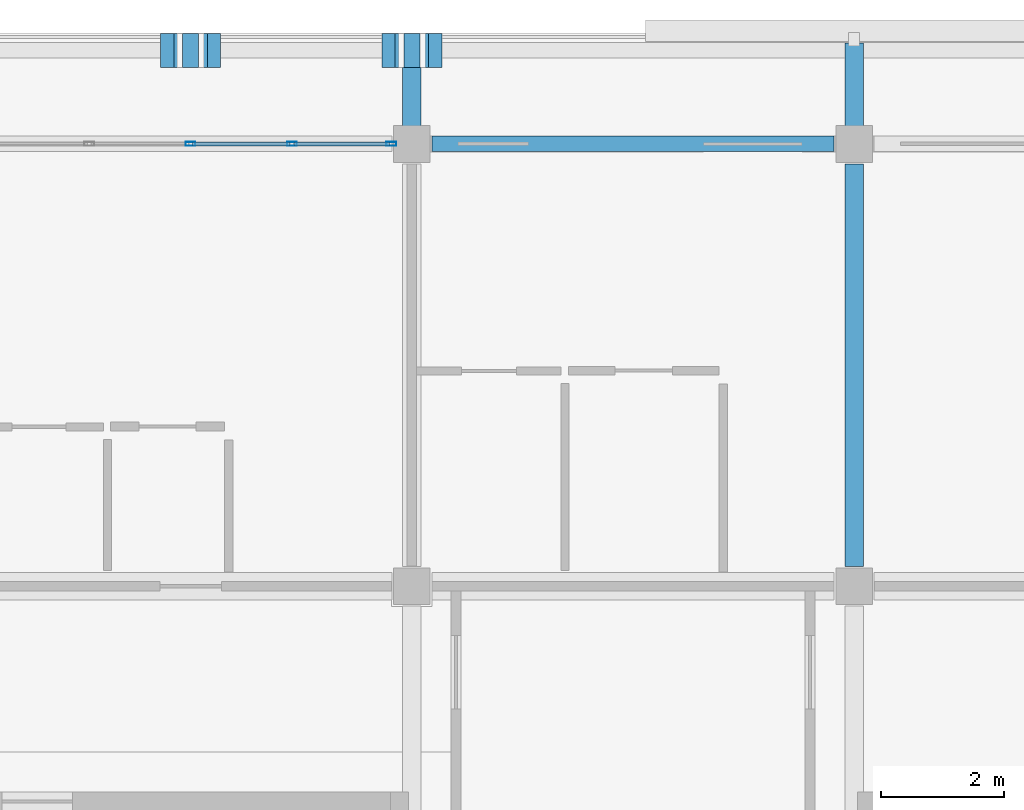
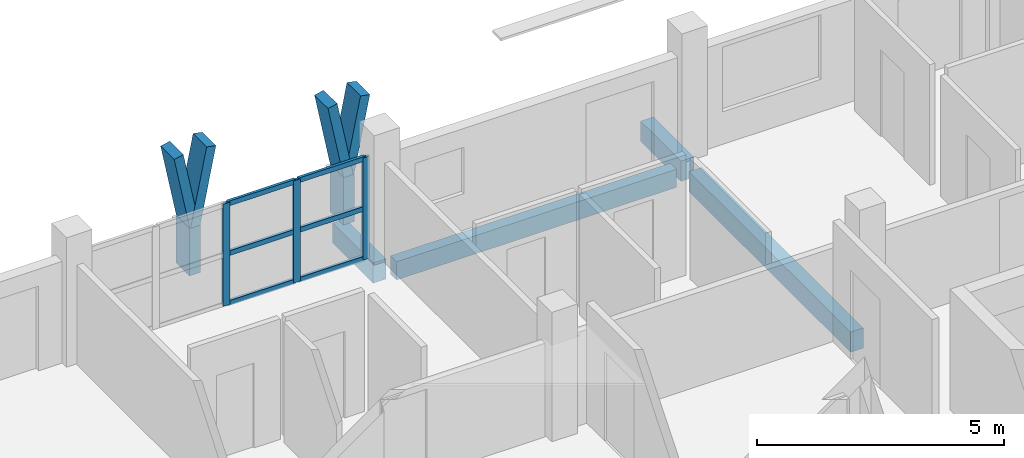
# One storey, part 13 of 73: 15 members, 4 beams, 1 element without a shape of its own.
"""IFC4 building model written with IfcOpenShell, lengths in metres."""

import ifcopenshell
import ifcopenshell.guid

model = None  # the IFC model being written
_history = None  # IfcOwnerHistory: only IFC2X3 demands one
_inside = {}  # id of a spatial element -> (the spatial element, [elements in it])
_under = {}  # id of a project, library or spatial element -> (it, [spatial elements below it])
_declared = {}  # id of a project -> (the project, [libraries it declares])
_typed = {}  # id of a type object -> (the type object, [elements of that type])
_made_of = {}  # id of a material, layer set ... -> (it, [elements and type objects made of it])


def new_model(schema):
    """Start an empty IFC model of exactly this schema.

    Asked for "IFC4X3", IfcOpenShell would pick the latest addendum, in which some entities
    have other attributes; the version numbers below select the first issue.
    IFC2X3 requires an IfcOwnerHistory on every rooted entity: one is made here for all.
    """
    global model, _history
    if schema == "IFC4X3":
        model = ifcopenshell.file(schema_version=(4, 3, 0, 0))
    else:
        model = ifcopenshell.file(schema=schema)
    _inside.clear()
    _under.clear()
    _declared.clear()
    _typed.clear()
    _made_of.clear()
    _history = None
    if model.schema == "IFC2X3":
        org = make("IfcOrganization", Name="unknown")
        user = make(
            "IfcPersonAndOrganization",
            ThePerson=make("IfcPerson", FamilyName="unknown"),
            TheOrganization=org,
        )
        app = make(
            "IfcApplication",
            ApplicationDeveloper=org,
            Version="unknown",
            ApplicationFullName="unknown",
            ApplicationIdentifier="unknown",
        )
        _history = make(
            "IfcOwnerHistory",
            OwningUser=user,
            OwningApplication=app,
            ChangeAction="ADDED",
            CreationDate=0,
        )
    return model


def make(cls, **values):
    """One entity of the class cls with the attributes given. An attribute that is None is left unset."""
    return model.create_entity(
        cls, **{name: value for name, value in values.items() if value is not None}
    )


def rooted(cls, **values):
    """An entity with a GlobalId (a new one), such as an element, a storey or a relation."""
    return make(cls, GlobalId=ifcopenshell.guid.new(), OwnerHistory=_history, **values)


def si_unit(unit_type, name, prefix=None):
    """IfcSIUnit, for example si_unit("LENGTHUNIT", "METRE", prefix="MILLI")."""
    return make("IfcSIUnit", UnitType=unit_type, Prefix=prefix, Name=name)


def assignment(units):
    """IfcUnitAssignment: the units of a project."""
    return None if units is None else make("IfcUnitAssignment", Units=units)


def point(xyz):
    """IfcCartesianPoint."""
    return None if xyz is None else make("IfcCartesianPoint", Coordinates=xyz)


def direction(xyz):
    """IfcDirection."""
    return None if xyz is None else make("IfcDirection", DirectionRatios=xyz)


def frame(location, z_axis=None, x_axis=None):
    """IfcAxis2Placement3D, a coordinate frame: its origin and axes. An axis left out is left unset."""
    return make(
        "IfcAxis2Placement3D",
        Location=point(location),
        Axis=direction(z_axis),
        RefDirection=direction(x_axis),
    )


def frame_2d(location, x_axis=None):
    """IfcAxis2Placement2D, a coordinate frame in the plane: its origin and x axis."""
    return make(
        "IfcAxis2Placement2D", Location=point(location), RefDirection=direction(x_axis)
    )


def origin():
    """The frame at (0, 0, 0) with its axes left unset."""
    return frame((0.0, 0.0, 0.0))


def origin_2d():
    """The frame at (0, 0) in the plane with its x axis left unset."""
    return frame_2d((0.0, 0.0))


def place(relative_to, where):
    """IfcLocalPlacement: puts the frame where relative to a parent placement (None: the world)."""
    return make(
        "IfcLocalPlacement", PlacementRelTo=relative_to, RelativePlacement=where
    )


def context(
    kind, dimensions, precision=None, world=None, true_north=None, identifier=None
):
    """IfcGeometricRepresentationContext, for example the 3D "Model" context."""
    return make(
        "IfcGeometricRepresentationContext",
        ContextIdentifier=identifier,
        ContextType=kind,
        CoordinateSpaceDimension=dimensions,
        Precision=precision,
        WorldCoordinateSystem=world,
        TrueNorth=true_north,
    )


def subcontext(parent, identifier, kind, view, scale=None):
    """IfcGeometricRepresentationSubContext, for example "Body" below "Model"."""
    return make(
        "IfcGeometricRepresentationSubContext",
        ContextIdentifier=identifier,
        ContextType=kind,
        ParentContext=parent,
        TargetScale=scale,
        TargetView=view,
    )


def project(units=None, contexts=None):
    """IfcProject with its units and contexts."""
    return rooted(
        "IfcProject",
        Name="project",
        RepresentationContexts=contexts,
        UnitsInContext=assignment(units),
    )


def spatial(cls, under=None, at=None, **own):
    """A site, building, storey or space (cls), placed at a placement, below another one or the project."""
    s = rooted(cls, ObjectPlacement=at, **own)
    if under is not None:
        _under.setdefault(under.id(), (under, []))[1].append(s)
    return s


def profile(cls, at=None, kind="AREA", **sizes):
    """A parametric profile (cls). Its sizes go by their IFC names, for example OverallWidth=200.0."""
    return make(cls, ProfileType=kind, Position=at, **sizes)


def rectangle(**sizes):
    """IfcRectangleProfileDef."""
    return profile("IfcRectangleProfileDef", **sizes)


def hollow_rectangle(**sizes):
    """IfcRectangleHollowProfileDef."""
    return profile("IfcRectangleHollowProfileDef", **sizes)


def extrude(swept, where, along, depth):
    """IfcExtrudedAreaSolid: the profile swept, set in the frame where, extruded along a direction by depth."""
    return make(
        "IfcExtrudedAreaSolid",
        SweptArea=swept,
        Position=where,
        ExtrudedDirection=direction(along),
        Depth=depth,
    )


def shape(context_of_items, identifier, shape_type, items):
    """IfcShapeRepresentation: the items that make up one representation, for example the "Body"."""
    return make(
        "IfcShapeRepresentation",
        ContextOfItems=context_of_items,
        RepresentationIdentifier=identifier,
        RepresentationType=shape_type,
        Items=items,
    )


def material(Name=None, Category=None):
    """IfcMaterial."""
    return make("IfcMaterial", Name=Name, Category=Category)


def material_profile(
    of_material, cross_section, Name=None, Category=None, Priority=None
):
    """IfcMaterialProfile: a cross section and its material."""
    return make(
        "IfcMaterialProfile",
        Name=Name,
        Material=of_material,
        Profile=cross_section,
        Priority=Priority,
        Category=Category,
    )


def profile_set(profiles, Name=None, composite=None):
    """IfcMaterialProfileSet."""
    return make(
        "IfcMaterialProfileSet",
        Name=Name,
        MaterialProfiles=profiles,
        CompositeProfile=composite,
    )


def made_of(thing, what):
    """Note that an element or type object is made of a material, layer set ...; save() writes the relation."""
    if what is not None:
        _made_of.setdefault(what.id(), (what, []))[1].append(thing)
    return thing


def type_object(cls, material=None, **own):
    """A type object (cls), such as IfcWallType, which elements share."""
    return made_of(rooted(cls, **own), material)


def element(
    cls,
    number,
    at=None,
    inside=None,
    cuts=None,
    type_object=None,
    material=None,
    context=None,
    identifier="Body",
    shape_type=None,
    held_by="IfcProductDefinitionShape",
    body=None,
    shapes=None,
    **own,
):
    """One element of the class cls, such as IfcWall. Its Tag is "e" and its number.

    at: its placement. inside: the storey or other place that contains it. cuts: it is an
    opening in that element (IfcRelVoidsElement). A single representation is given by context,
    identifier, shape_type and body (its items); several are given by shapes. held_by: the class
    of the entity that holds the representations. save() writes the other relations.
    """
    e = rooted(cls, Tag="e%d" % number, ObjectPlacement=at, **own)
    if body is not None:
        shapes = [shape(context, identifier, shape_type, body)]
    if shapes is not None:
        e.Representation = make(held_by, Representations=shapes)
    if inside is not None:
        _inside.setdefault(inside.id(), (inside, []))[1].append(e)
    if cuts is not None:
        rooted(
            "IfcRelVoidsElement", RelatingBuildingElement=cuts, RelatedOpeningElement=e
        )
    if type_object is not None:
        _typed.setdefault(type_object.id(), (type_object, []))[1].append(e)
    return made_of(e, material)


def aggregate(whole, parts):
    """IfcRelAggregates: a whole, such as a stair, and the parts it consists of."""
    return rooted("IfcRelAggregates", RelatingObject=whole, RelatedObjects=parts)


def save(model, path):
    """Write the relations noted so far, then the file.

    IfcRelAggregates (storeys below a building ...), IfcRelContainedInSpatialStructure (elements
    in a storey), IfcRelDefinesByType, IfcRelAssociatesMaterial and IfcRelDeclares: one each for
    every whole, place, type object, material and project.
    """
    for whole, parts in _under.values():
        aggregate(whole, parts)
    for where, things in _inside.values():
        rooted(
            "IfcRelContainedInSpatialStructure",
            RelatedElements=things,
            RelatingStructure=where,
        )
    for kind, things in _typed.values():
        rooted("IfcRelDefinesByType", RelatedObjects=things, RelatingType=kind)
    for what, things in _made_of.values():
        rooted("IfcRelAssociatesMaterial", RelatedObjects=things, RelatingMaterial=what)
    for by, libraries in _declared.values():
        rooted("IfcRelDeclares", RelatingContext=by, RelatedDefinitions=libraries)
    model.write(path)


model = new_model("IFC4")

# Units and contexts
model_context = context("Model", 3, precision=1e-05, world=origin(), true_north=direction((0.0, 1.0)))
body_context = subcontext(model_context, "Body", "Model", "MODEL_VIEW")
ifc_project = project(units=[si_unit("LENGTHUNIT", "METRE"), si_unit("AREAUNIT", "SQUARE_METRE"), si_unit("VOLUMEUNIT", "CUBIC_METRE"), si_unit("PLANEANGLEUNIT", "RADIAN"), si_unit("MASSUNIT", "GRAM", prefix="KILO")], contexts=[model_context])

# Site, building, storey
site_placement = place(None, origin())
site = spatial("IfcSite", under=ifc_project, at=site_placement, CompositionType="ELEMENT")
building_placement = place(site_placement, origin())
building = spatial("IfcBuilding", under=site, at=building_placement, Name="Suanplinth Sawtooth Commons", CompositionType="ELEMENT")
storey_placement = place(building_placement, frame((0.0, 0.0, 21.89990234375)))
storey = spatial("IfcBuildingStorey", under=building, at=storey_placement, Name="L06", CompositionType="ELEMENT", Elevation=21.89990234375)

# Beams
ifc_material_1 = material(Name="Precast concrete C40/50", Category="concrete")
ifc_material_profile_1 = material_profile(ifc_material_1, rectangle(XDim=0.300048828125, YDim=0.5, at=origin_2d()), Name="PC-BM 300x500")
ifc_profile_set_1 = profile_set([ifc_material_profile_1], Name="Precast concrete C40/50")
beam_type_1 = type_object("IfcBeamType", Name="B-07", PredefinedType="BEAM", material=ifc_profile_set_1)
beam_1_placement = place(storey_placement, frame((57.60009765625, 115.52490234375, -0.489990234375), z_axis=(0.0, 1.0, 0.0), x_axis=(-1.0, 0.0, 0.0)))
element("IfcBeam", 1, at=beam_1_placement, inside=storey, type_object=beam_type_1, Name="BMY-L06-A-8-16", PredefinedType="BEAM", context=body_context, shape_type="SweptSolid", body=[
    extrude(rectangle(XDim=0.300048828125, YDim=0.5, at=origin_2d()), origin(), (0.0, 0.0, 1.0), 6.550048828125),
])
for number, where, z_axis, x_axis, name in (
    (2, (50.39990234375, 122.39990234375, -0.429931640625), (0.0, 1.0, 0.0), (-1.0, 0.0, 0.0), "Balcony Outrigger L06-A-N-7"),
    (3, (57.60009765625, 122.39990234375, -0.429931640625), (0.0, 1.0, 0.0), (-1.0, 0.0, 0.0), "Balcony Outrigger L06-A-N-8"),
):
    element("IfcBeam", number, at=place(storey_placement, frame(where, z_axis=z_axis, x_axis=x_axis)), inside=storey, type_object=beam_type_1, Name=name, PredefinedType="BEAM", context=body_context, shape_type="SweptSolid", body=[
        extrude(rectangle(XDim=0.300048828125, YDim=0.5, at=origin_2d()), origin(), (0.0, 0.0, 1.0), 1.64013671875),
    ])
ifc_material_profile_2 = material_profile(ifc_material_1, rectangle(XDim=0.25, YDim=0.449951171875, at=origin_2d()), Name="PC-SP 250x450")
ifc_profile_set_2 = profile_set([ifc_material_profile_2], Name="Precast concrete C40/50")
beam_type_2 = type_object("IfcBeamType", Name="B-09", PredefinedType="SPANDREL", material=ifc_profile_set_2)
beam_2_placement = place(storey_placement, frame((50.72509765625, 122.39990234375, -0.46484375), z_axis=(1.0, 0.0, 0.0), x_axis=(0.0, 1.0, 0.0)))
element("IfcBeam", 4, at=beam_2_placement, inside=storey, type_object=beam_type_2, Name="BMX-L06-A-7-17", PredefinedType="SPANDREL", context=body_context, shape_type="SweptSolid", body=[
    extrude(rectangle(XDim=0.25, YDim=0.449951171875, at=origin_2d()), origin(), (0.0, 0.0, 1.0), 6.5498046875),
])

# Members
ifc_material_2 = material(Name="Pigmented precast concrete C40/50", Category="concrete")
ifc_material_profile_3 = material_profile(ifc_material_2, rectangle(XDim=0.260009765625, YDim=0.550048828125, at=origin_2d()), Name="PC-FIN 260x550")
ifc_profile_set_3 = profile_set([ifc_material_profile_3], Name="Pigmented precast concrete C40/50")
member_type_1 = type_object("IfcMemberType", Name="M-09", PredefinedType="USERDEFINED", material=ifc_profile_set_3)
for number, where, z_axis, x_axis, name in (
    (5, (46.800048828125, 123.919921875, 0.0), (0.0, 0.0, 1.0), (1.0, 0.0, 0.0), "Y-Blade Stem L06-A-N-03"),
    (6, (50.39990234375, 123.919921875, 0.0), (0.0, 0.0, 1.0), (1.0, 0.0, 0.0), "Y-Blade Stem L06-A-N-04"),
):
    element("IfcMember", number, at=place(storey_placement, frame(where, z_axis=z_axis, x_axis=x_axis)), inside=storey, type_object=member_type_1, Name=name, ObjectType="SHADING FIN", PredefinedType="USERDEFINED", context=body_context, shape_type="SweptSolid", body=[
        extrude(rectangle(XDim=0.260009765625, YDim=0.550048828125, at=origin_2d()), origin(), (0.0, 0.0, 1.0), 1.170166015625),
    ])
ifc_material_profile_4 = material_profile(ifc_material_2, rectangle(XDim=0.219970703125, YDim=0.550048828125, at=origin_2d()), Name="PC-FIN 220x550")
ifc_profile_set_4 = profile_set([ifc_material_profile_4], Name="Pigmented precast concrete C40/50")
member_type_2 = type_object("IfcMemberType", Name="M-10", PredefinedType="USERDEFINED", material=ifc_profile_set_4)
member_1_placement = place(storey_placement, frame((46.800048828125, 123.919921875, 1.130126953125), z_axis=(-0.196431120402, 0.0, 0.980517626021), x_axis=(0.980517626021, 0.0, 0.196431120402)))
element("IfcMember", 7, at=member_1_placement, inside=storey, type_object=member_type_2, Name="Y-Blade Arm L L06-A-N-03", ObjectType="SHADING FIN", PredefinedType="USERDEFINED", context=body_context, shape_type="SweptSolid", body=[
    extrude(rectangle(XDim=0.219970703125, YDim=0.550048828125, at=origin_2d()), origin(), (0.0, 0.0, 1.0), 1.937744140625),
])
for number, where, z_axis, x_axis, name in (
    (8, (46.800048828125, 123.919921875, 1.130126953125), (0.196309979414, 0.0, 0.980541886909), (-0.980541886909, 0.0, 0.196309979414), "Y-Blade Arm R L06-A-N-03"),
    (9, (50.39990234375, 123.919921875, 1.130126953125), (-0.196309979414, 0.0, 0.980541886909), (0.980541886909, 0.0, 0.196309979414), "Y-Blade Arm L L06-A-N-04"),
):
    element("IfcMember", number, at=place(storey_placement, frame(where, z_axis=z_axis, x_axis=x_axis)), inside=storey, type_object=member_type_2, Name=name, ObjectType="SHADING FIN", PredefinedType="USERDEFINED", context=body_context, shape_type="SweptSolid", body=[
        extrude(rectangle(XDim=0.219970703125, YDim=0.550048828125, at=origin_2d()), origin(), (0.0, 0.0, 1.0), 1.9375),
    ])
member_2_placement = place(storey_placement, frame((50.39990234375, 123.919921875, 1.130126953125), z_axis=(0.196431120402, 0.0, 0.980517626021), x_axis=(-0.980517626021, 0.0, 0.196431120402)))
element("IfcMember", 10, at=member_2_placement, inside=storey, type_object=member_type_2, Name="Y-Blade Arm R L06-A-N-04", ObjectType="SHADING FIN", PredefinedType="USERDEFINED", context=body_context, shape_type="SweptSolid", body=[
    extrude(rectangle(XDim=0.219970703125, YDim=0.550048828125, at=origin_2d()), origin(), (0.0, 0.0, 1.0), 1.937744140625),
])

# Curtain wall, members
ifc_material_3 = material(Name="Anodized aluminium and low-E glazing", Category="aluminium")
curtain_wall_type = type_object("IfcCurtainWallType", Name="CW-06", PredefinedType="USERDEFINED", material=ifc_material_3)
curtain_wall_placement = place(storey_placement, origin())
curtain_wall = element("IfcCurtainWall", 11, at=curtain_wall_placement, inside=storey, type_object=curtain_wall_type, Name="Curtain Wall CW-L06-A-LOUNGE-5", ObjectType="CURTAIN WALL", PredefinedType="USERDEFINED")
ifc_material_4 = material(Name="Anodized aluminium 6063-T6", Category="aluminium")
ifc_material_profile_5 = material_profile(ifc_material_4, hollow_rectangle(XDim=0.06494140625, YDim=0.159912109375, WallThickness=0.00390625, at=origin_2d()), Name="ALU-MUL 65x160")
ifc_profile_set_5 = profile_set([ifc_material_profile_5], Name="Anodized aluminium 6063-T6")
member_type_3 = type_object("IfcMemberType", Name="M-13", PredefinedType="MULLION", material=ifc_profile_set_5)
member_3_placement = place(storey_placement, frame((46.800048828125, 122.39990234375, 0.0), z_axis=(0.0, 0.0, 1.0), x_axis=(0.0, 1.0, 0.0)))
member_3 = element("IfcMember", 12, at=member_3_placement, type_object=member_type_3, Name="CW-06 mullion 3", PredefinedType="MULLION", context=body_context, shape_type="SweptSolid", body=[
    extrude(hollow_rectangle(XDim=0.06494140625, YDim=0.159912109375, WallThickness=0.00390625, at=origin_2d()), origin(), (0.0, 0.0, 1.0), 2.530029296875),
])
member_4_placement = place(storey_placement, frame((48.449951171875, 122.39990234375, 0.0), z_axis=(0.0, 0.0, 1.0), x_axis=(0.0, 1.0, 0.0)))
member_4 = element("IfcMember", 13, at=member_4_placement, type_object=member_type_3, Name="CW-06 mullion 4", PredefinedType="MULLION", context=body_context, shape_type="SweptSolid", body=[
    extrude(hollow_rectangle(XDim=0.06494140625, YDim=0.159912109375, WallThickness=0.00390625, at=origin_2d()), origin(), (0.0, 0.0, 1.0), 2.530029296875),
])
member_5_placement = place(storey_placement, frame((50.0673828125, 122.39990234375, 0.0), z_axis=(0.0, 0.0, 1.0), x_axis=(0.0, 1.0, 0.0)))
member_5 = element("IfcMember", 14, at=member_5_placement, type_object=member_type_3, Name="CW-06 mullion 5", PredefinedType="MULLION", context=body_context, shape_type="SweptSolid", body=[
    extrude(hollow_rectangle(XDim=0.06494140625, YDim=0.159912109375, WallThickness=0.00390625, at=origin_2d()), origin(), (0.0, 0.0, 1.0), 2.530029296875),
])
ifc_material_profile_6 = material_profile(ifc_material_4, hollow_rectangle(XDim=0.06494140625, YDim=0.1201171875, WallThickness=0.00390625, at=origin_2d()), Name="ALU-TRN 65x120")
ifc_profile_set_6 = profile_set([ifc_material_profile_6], Name="Anodized aluminium 6063-T6")
member_type_4 = type_object("IfcMemberType", Name="M-15", PredefinedType="USERDEFINED", material=ifc_profile_set_6)
member_6_placement = place(storey_placement, frame((46.83251953125, 122.39990234375, 0.03271484375), z_axis=(1.0, 0.0, 0.0), x_axis=(0.0, 1.0, 0.0)))
member_6 = element("IfcMember", 15, at=member_6_placement, type_object=member_type_4, Name="CW-06 transom 3.1", ObjectType="TRANSOM", PredefinedType="USERDEFINED", context=body_context, shape_type="SweptSolid", body=[
    extrude(hollow_rectangle(XDim=0.06494140625, YDim=0.1201171875, WallThickness=0.00390625, at=origin_2d()), origin(), (0.0, 0.0, 1.0), 1.5849609375),
])
member_7_placement = place(storey_placement, frame((46.83251953125, 122.39990234375, 1.26513671875), z_axis=(1.0, 0.0, 0.0), x_axis=(0.0, 1.0, 0.0)))
member_7 = element("IfcMember", 16, at=member_7_placement, type_object=member_type_4, Name="CW-06 transom 3.2", ObjectType="TRANSOM", PredefinedType="USERDEFINED", context=body_context, shape_type="SweptSolid", body=[
    extrude(hollow_rectangle(XDim=0.06494140625, YDim=0.1201171875, WallThickness=0.00390625, at=origin_2d()), origin(), (0.0, 0.0, 1.0), 1.5849609375),
])
member_8_placement = place(storey_placement, frame((46.83251953125, 122.39990234375, 2.49755859375), z_axis=(1.0, 0.0, 0.0), x_axis=(0.0, 1.0, 0.0)))
member_8 = element("IfcMember", 17, at=member_8_placement, type_object=member_type_4, Name="CW-06 transom 3.3", ObjectType="TRANSOM", PredefinedType="USERDEFINED", context=body_context, shape_type="SweptSolid", body=[
    extrude(hollow_rectangle(XDim=0.06494140625, YDim=0.1201171875, WallThickness=0.00390625, at=origin_2d()), origin(), (0.0, 0.0, 1.0), 1.5849609375),
])
member_9_placement = place(storey_placement, frame((48.482421875, 122.39990234375, 0.03271484375), z_axis=(1.0, 0.0, 0.0), x_axis=(0.0, 1.0, 0.0)))
member_9 = element("IfcMember", 18, at=member_9_placement, type_object=member_type_4, Name="CW-06 transom 4.1", ObjectType="TRANSOM", PredefinedType="USERDEFINED", context=body_context, shape_type="SweptSolid", body=[
    extrude(hollow_rectangle(XDim=0.06494140625, YDim=0.1201171875, WallThickness=0.00390625, at=origin_2d()), origin(), (0.0, 0.0, 1.0), 1.552490234375),
])
member_10_placement = place(storey_placement, frame((48.482421875, 122.39990234375, 1.26513671875), z_axis=(1.0, 0.0, 0.0), x_axis=(0.0, 1.0, 0.0)))
member_10 = element("IfcMember", 19, at=member_10_placement, type_object=member_type_4, Name="CW-06 transom 4.2", ObjectType="TRANSOM", PredefinedType="USERDEFINED", context=body_context, shape_type="SweptSolid", body=[
    extrude(hollow_rectangle(XDim=0.06494140625, YDim=0.1201171875, WallThickness=0.00390625, at=origin_2d()), origin(), (0.0, 0.0, 1.0), 1.552490234375),
])
member_11_placement = place(storey_placement, frame((48.482421875, 122.39990234375, 2.49755859375), z_axis=(1.0, 0.0, 0.0), x_axis=(0.0, 1.0, 0.0)))
member_11 = element("IfcMember", 20, at=member_11_placement, type_object=member_type_4, Name="CW-06 transom 4.3", ObjectType="TRANSOM", PredefinedType="USERDEFINED", context=body_context, shape_type="SweptSolid", body=[
    extrude(hollow_rectangle(XDim=0.06494140625, YDim=0.1201171875, WallThickness=0.00390625, at=origin_2d()), origin(), (0.0, 0.0, 1.0), 1.552490234375),
])
aggregate(curtain_wall, [member_3, member_4, member_5, member_6, member_7, member_8, member_9, member_10, member_11])

save(model, "model.ifc")
